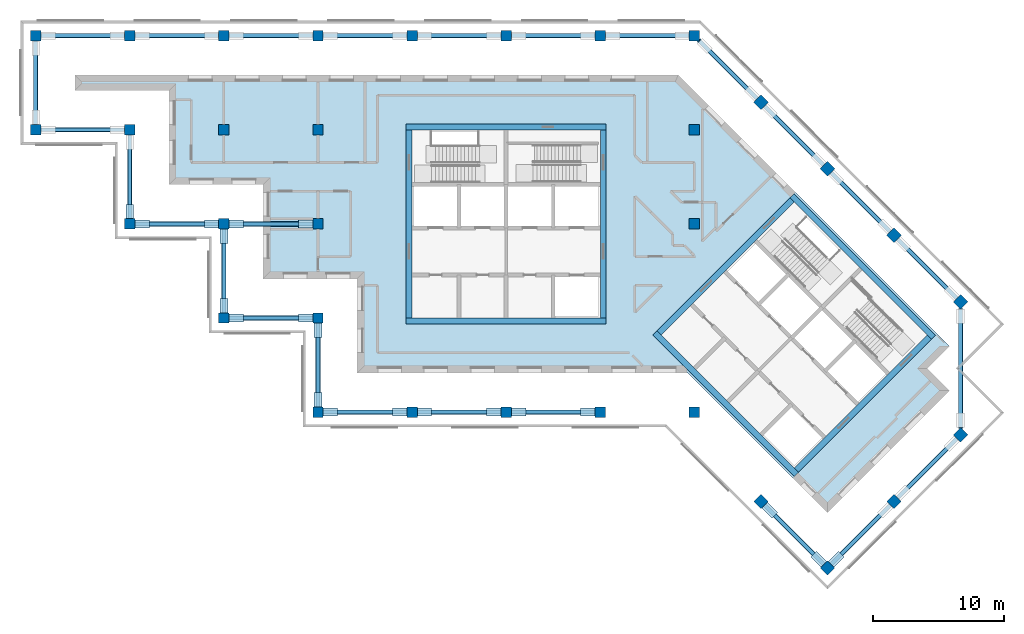
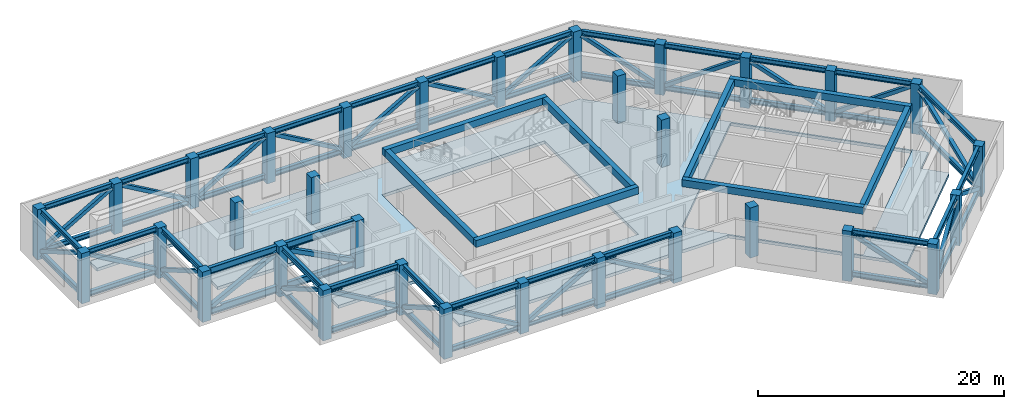
# One storey, part 1 of 9: 78 members, 32 columns, 20 plates, 8 beams, 1 slab, 2 openings.
"""IFC4 building model written with IfcOpenShell, lengths in metres."""

from ifc_helpers import new_model, si_unit, direction, frame, origin, origin_2d, place, context, subcontext, project, spatial, polyline, rectangle, hollow_rectangle, i_section, outline, extrude, material, layer, layer_set, material_profile, profile_set, type_object, element, save


model = new_model("IFC4")

# Units and contexts
model_context = context("Model", 3, precision=1e-05, world=origin(), true_north=direction((0.0, 1.0)))
body_context = subcontext(model_context, "Body", "Model", "MODEL_VIEW")
ifc_project = project(units=[si_unit("LENGTHUNIT", "METRE"), si_unit("AREAUNIT", "SQUARE_METRE"), si_unit("VOLUMEUNIT", "CUBIC_METRE"), si_unit("PLANEANGLEUNIT", "RADIAN"), si_unit("MASSUNIT", "GRAM", prefix="KILO")], contexts=[model_context])

# Site, building, storey
site_placement = place(None, origin())
site = spatial("IfcSite", under=ifc_project, at=site_placement, CompositionType="ELEMENT")
building_placement = place(site_placement, origin())
building = spatial("IfcBuilding", under=site, at=building_placement, Name="Windrow Commons", CompositionType="ELEMENT")
storey_placement = place(building_placement, frame((0.0, 0.0, 234.6)))
storey = spatial("IfcBuildingStorey", under=building, at=storey_placement, Name="L64", CompositionType="ELEMENT", Elevation=234.6)

# Columns
ifc_material_1 = material(Name="Concrete C50/60", Category="concrete")
ifc_material_profile_1 = material_profile(ifc_material_1, rectangle(XDim=0.8, YDim=0.8, at=origin_2d()))
ifc_profile_set_1 = profile_set([ifc_material_profile_1], Name="Concrete C50/60")
column_type = type_object("IfcColumnType", Name="RC COLUMN 800x800 C50/60", PredefinedType="COLUMN", material=ifc_profile_set_1)
for number, where, z_axis, x_axis, name in (
    (1, (28.8, 64.8, -0.3), (0.0, 0.0, 1.0), (1.0, 0.0, 0.0), "C-SG4-05I"),
    (2, (28.8, 72.0, -0.3), (0.0, 0.0, 1.0), (1.0, 0.0, 0.0), "C-SG4-05J"),
    (3, (36.0, 57.6, -0.3), (0.0, 0.0, 1.0), (1.0, 0.0, 0.0), "C-SG4-06H"),
    (4, (36.0, 64.8, -0.3), (0.0, 0.0, 1.0), (1.0, 0.0, 0.0), "C-SG4-06I"),
    (5, (36.0, 72.0, -0.3), (0.0, 0.0, 1.0), (1.0, 0.0, 0.0), "C-SG4-06J"),
    (6, (43.2, 50.4, -0.3), (0.0, 0.0, 1.0), (1.0, 0.0, 0.0), "C-SG4-07G"),
    (7, (43.2, 57.6, -0.3), (0.0, 0.0, 1.0), (1.0, 0.0, 0.0), "C-SG4-07H"),
):
    element("IfcColumn", number, at=place(storey_placement, frame(where, z_axis=z_axis, x_axis=x_axis)), inside=storey, type_object=column_type, Name=name, PredefinedType="COLUMN", context=body_context, shape_type="SweptSolid", body=[
        extrude(rectangle(XDim=0.8, YDim=0.8, at=origin_2d()), origin(), (0.0, 0.0, 1.0), 5.0),
    ])
column_placement = place(storey_placement, frame((43.2, 64.8, 0.0), z_axis=(0.0, 0.0, 1.0), x_axis=(1.0, 0.0, 0.0)))
element("IfcColumn", 8, at=column_placement, inside=storey, type_object=column_type, Name="C-SG4-07I", PredefinedType="COLUMN", context=body_context, shape_type="SweptSolid", body=[
    extrude(rectangle(XDim=0.8, YDim=0.8, at=origin_2d()), origin(), (0.0, 0.0, 1.0), 4.7),
])
for number, where, z_axis, x_axis, name in (
    (9, (43.2, 72.0, -0.3), (0.0, 0.0, 1.0), (1.0, 0.0, 0.0), "C-SG4-07J"),
    (10, (50.4, 43.2, -0.3), (0.0, 0.0, 1.0), (1.0, 0.0, 0.0), "C-SG4-08F"),
    (11, (50.4, 50.4, -0.3), (0.0, 0.0, 1.0), (1.0, 0.0, 0.0), "C-SG4-08G"),
):
    element("IfcColumn", number, at=place(storey_placement, frame(where, z_axis=z_axis, x_axis=x_axis)), inside=storey, type_object=column_type, Name=name, PredefinedType="COLUMN", context=body_context, shape_type="SweptSolid", body=[
        extrude(rectangle(XDim=0.8, YDim=0.8, at=origin_2d()), origin(), (0.0, 0.0, 1.0), 5.0),
    ])
for number, where, z_axis, x_axis, name in (
    (12, (50.4, 57.6, 0.0), (0.0, 0.0, 1.0), (1.0, 0.0, 0.0), "C-SG4-08H"),
    (13, (50.4, 64.8, 0.0), (0.0, 0.0, 1.0), (1.0, 0.0, 0.0), "C-SG4-08I"),
):
    element("IfcColumn", number, at=place(storey_placement, frame(where, z_axis=z_axis, x_axis=x_axis)), inside=storey, type_object=column_type, Name=name, PredefinedType="COLUMN", context=body_context, shape_type="SweptSolid", body=[
        extrude(rectangle(XDim=0.8, YDim=0.8, at=origin_2d()), origin(), (0.0, 0.0, 1.0), 4.7),
    ])
for number, where, z_axis, x_axis, name in (
    (14, (50.4, 72.0, -0.3), (0.0, 0.0, 1.0), (1.0, 0.0, 0.0), "C-SG4-08J"),
    (15, (57.6, 43.2, -0.3), (0.0, 0.0, 1.0), (1.0, 0.0, 0.0), "C-SG4-09F"),
    (16, (57.6, 72.0, -0.3), (0.0, 0.0, 1.0), (1.0, 0.0, 0.0), "C-SG4-09J"),
    (17, (64.8, 43.2, -0.3), (0.0, 0.0, 1.0), (1.0, 0.0, 0.0), "C-SG4-10F"),
    (18, (64.8, 72.0, -0.3), (0.0, 0.0, 1.0), (1.0, 0.0, 0.0), "C-SG4-10J"),
    (19, (72.0, 43.2, -0.3), (0.0, 0.0, 1.0), (1.0, 0.0, 0.0), "C-SG4-11F"),
    (20, (72.0, 72.0, -0.3), (0.0, 0.0, 1.0), (1.0, 0.0, 0.0), "C-SG4-11J"),
    (21, (79.2, 43.2, -0.3), (0.0, 0.0, 1.0), (1.0, 0.0, 0.0), "C-SG4-12F"),
):
    element("IfcColumn", number, at=place(storey_placement, frame(where, z_axis=z_axis, x_axis=x_axis)), inside=storey, type_object=column_type, Name=name, PredefinedType="COLUMN", context=body_context, shape_type="SweptSolid", body=[
        extrude(rectangle(XDim=0.8, YDim=0.8, at=origin_2d()), origin(), (0.0, 0.0, 1.0), 5.0),
    ])
for number, where, z_axis, x_axis, name in (
    (22, (79.2, 57.6, 0.0), (0.0, 0.0, 1.0), (1.0, 0.0, 0.0), "C-SG4-12H"),
    (23, (79.2, 64.8, 0.0), (0.0, 0.0, 1.0), (1.0, 0.0, 0.0), "C-SG4-12I"),
):
    element("IfcColumn", number, at=place(storey_placement, frame(where, z_axis=z_axis, x_axis=x_axis)), inside=storey, type_object=column_type, Name=name, PredefinedType="COLUMN", context=body_context, shape_type="SweptSolid", body=[
        extrude(rectangle(XDim=0.8, YDim=0.8, at=origin_2d()), origin(), (0.0, 0.0, 1.0), 4.7),
    ])
for number, where, z_axis, x_axis, name in (
    (24, (79.2, 72.0, -0.3), (0.0, 0.0, 1.0), (1.0, 0.0, 0.0), "C-SG4-12J"),
    (25, (84.2912, 66.9088, -0.3), (0.0, 0.0, 1.0), (0.7071067812, -0.7071067812, 0.0), "C-SG4-P2Q"),
    (26, (89.3823, 61.8177, -0.3), (0.0, 0.0, 1.0), (0.7071067812, -0.7071067812, 0.0), "C-SG4-P3Q"),
    (27, (94.4735, 56.7265, -0.3), (0.0, 0.0, 1.0), (0.7071067812, -0.7071067812, 0.0), "C-SG4-P4Q"),
    (28, (99.5647, 51.6353, -0.3), (0.0, 0.0, 1.0), (0.7071067812, -0.7071067812, 0.0), "C-SG4-P5Q"),
    (29, (84.2912, 36.3618, -0.3), (0.0, 0.0, 1.0), (0.7071067812, -0.7071067812, 0.0), "C-SG4-P5T"),
    (30, (99.5647, 41.453, -0.3), (0.0, 0.0, 1.0), (0.7071067812, -0.7071067812, 0.0), "C-SG4-P6R"),
    (31, (94.4735, 36.3618, -0.3), (0.0, 0.0, 1.0), (0.7071067812, -0.7071067812, 0.0), "C-SG4-P6S"),
    (32, (89.3823, 31.2706, -0.3), (0.0, 0.0, 1.0), (0.7071067812, -0.7071067812, 0.0), "C-SG4-P6T"),
):
    element("IfcColumn", number, at=place(storey_placement, frame(where, z_axis=z_axis, x_axis=x_axis)), inside=storey, type_object=column_type, Name=name, PredefinedType="COLUMN", context=body_context, shape_type="SweptSolid", body=[
        extrude(rectangle(XDim=0.8, YDim=0.8, at=origin_2d()), origin(), (0.0, 0.0, 1.0), 5.0),
    ])

# Beams
ifc_material_2 = material(Name="Concrete C40/50", Category="concrete")
ifc_material_profile_2 = material_profile(ifc_material_2, rectangle(XDim=0.45, YDim=0.7, at=origin_2d()))
ifc_profile_set_2 = profile_set([ifc_material_profile_2], Name="Concrete C40/50")
beam_type = type_object("IfcBeamType", Name="RC COUPLING BEAM 450x700 C40/50", PredefinedType="LINTEL", material=ifc_profile_set_2)
for number, where, z_axis, x_axis, name in (
    (33, (57.15, 50.175, 4.35), (1.0, 0.0, 0.0), (0.0, 1.0, 0.0), "Core A coupling beam outer-S"),
    (34, (57.15, 65.025, 4.35), (1.0, 0.0, 0.0), (0.0, 1.0, 0.0), "Core A coupling beam outer-N"),
):
    element("IfcBeam", number, at=place(storey_placement, frame(where, z_axis=z_axis, x_axis=x_axis)), inside=storey, type_object=beam_type, Name=name, PredefinedType="LINTEL", context=body_context, shape_type="SweptSolid", body=[
        extrude(rectangle(XDim=0.45, YDim=0.7, at=origin_2d()), origin(), (0.0, 0.0, 1.0), 15.3),
    ])
for number, where, z_axis, x_axis, name in (
    (35, (57.375, 50.4, 4.35), (0.0, 1.0, 0.0), (-1.0, 0.0, 0.0), "Core A coupling beam outer-W"),
    (36, (72.225, 50.4, 4.35), (0.0, 1.0, 0.0), (-1.0, 0.0, 0.0), "Core A coupling beam outer-E"),
):
    element("IfcBeam", number, at=place(storey_placement, frame(where, z_axis=z_axis, x_axis=x_axis)), inside=storey, type_object=beam_type, Name=name, PredefinedType="LINTEL", context=body_context, shape_type="SweptSolid", body=[
        extrude(rectangle(XDim=0.45, YDim=0.7, at=origin_2d()), origin(), (0.0, 0.0, 1.0), 14.4),
    ])
for number, where, z_axis, x_axis, name in (
    (37, (76.1771, 49.2488, 4.35), (0.7071100491, -0.7071035132, 0.0), (0.7071035132, 0.7071100491, 0.0), "Core B coupling beam outer-S"),
    (38, (86.6777, 59.7494, 4.35), (0.7071035132, -0.7071100491, 0.0), (0.7071100491, 0.7071035132, 0.0), "Core B coupling beam outer-N"),
):
    element("IfcBeam", number, at=place(storey_placement, frame(where, z_axis=z_axis, x_axis=x_axis)), inside=storey, type_object=beam_type, Name=name, PredefinedType="LINTEL", context=body_context, shape_type="SweptSolid", body=[
        extrude(rectangle(XDim=0.45, YDim=0.7, at=origin_2d()), origin(), (0.0, 0.0, 1.0), 15.3),
    ])
beam_1_placement = place(storey_placement, frame((76.4953, 49.2488, 4.35), z_axis=(0.7071067812, 0.7071067812, 0.0), x_axis=(-0.7071067812, 0.7071067812, 0.0)))
element("IfcBeam", 39, at=beam_1_placement, inside=storey, type_object=beam_type, Name="Core B coupling beam outer-W", PredefinedType="LINTEL", context=body_context, shape_type="SweptSolid", body=[
    extrude(rectangle(XDim=0.45, YDim=0.7, at=origin_2d()), origin(), (0.0, 0.0, 1.0), 14.4001),
])
beam_2_placement = place(storey_placement, frame((86.9959, 38.7483, 4.35), z_axis=(0.7071067812, 0.7071067812, 0.0), x_axis=(-0.7071067812, 0.7071067812, 0.0)))
element("IfcBeam", 40, at=beam_2_placement, inside=storey, type_object=beam_type, Name="Core B coupling beam outer-E", PredefinedType="LINTEL", context=body_context, shape_type="SweptSolid", body=[
    extrude(rectangle(XDim=0.45, YDim=0.7, at=origin_2d()), origin(), (0.0, 0.0, 1.0), 14.3999),
])

# Members
ifc_material_3 = material(Name="Steel S355", Category="steel")
ifc_material_profile_3 = material_profile(ifc_material_3, i_section(OverallWidth=0.3, OverallDepth=0.5, WebThickness=0.0145, FlangeThickness=0.028, FilletRadius=0.027, at=origin_2d()))
ifc_profile_set_3 = profile_set([ifc_material_profile_3], Name="Steel S355")
member_type_1 = type_object("IfcMemberType", Name="STEEL OUTRIGGER CHORD HE500B S355", PredefinedType="CHORD", material=ifc_profile_set_3)
for number, where, z_axis, x_axis, name in (
    (41, (71.6, 43.2, 0.25), (-1.0, 0.0, 0.0), (0.0, -1.0, 0.0), "belt00 chord 1 bot"),
    (42, (71.6, 43.2, 4.45), (-1.0, 0.0, 0.0), (0.0, -1.0, 0.0), "belt00 chord 1 top"),
    (43, (64.4, 43.2, 0.25), (-1.0, 0.0, 0.0), (0.0, -1.0, 0.0), "belt00 chord 2 bot"),
    (44, (64.4, 43.2, 4.45), (-1.0, 0.0, 0.0), (0.0, -1.0, 0.0), "belt00 chord 2 top"),
    (45, (57.2, 43.2, 0.25), (-1.0, 0.0, 0.0), (0.0, -1.0, 0.0), "belt00 chord 3 bot"),
    (46, (57.2, 43.2, 4.45), (-1.0, 0.0, 0.0), (0.0, -1.0, 0.0), "belt00 chord 3 top"),
    (47, (50.4, 43.6, 0.25), (0.0, 1.0, 0.0), (-1.0, 0.0, 0.0), "belt00 chord 4 bot"),
    (48, (50.4, 43.6, 4.45), (0.0, 1.0, 0.0), (-1.0, 0.0, 0.0), "belt00 chord 4 top"),
    (49, (50.0, 50.4, 0.25), (-1.0, 0.0, 0.0), (0.0, -1.0, 0.0), "belt00 chord 5 bot"),
    (50, (50.0, 50.4, 4.45), (-1.0, 0.0, 0.0), (0.0, -1.0, 0.0), "belt00 chord 5 top"),
    (51, (43.2, 50.8, 0.25), (0.0, 1.0, 0.0), (-1.0, 0.0, 0.0), "belt00 chord 6 bot"),
    (52, (43.2, 50.8, 4.45), (0.0, 1.0, 0.0), (-1.0, 0.0, 0.0), "belt00 chord 6 top"),
    (53, (36.0, 58.0, 0.25), (0.0, 1.0, 0.0), (-1.0, 0.0, 0.0), "belt00 chord 8 bot"),
    (54, (36.0, 58.0, 4.45), (0.0, 1.0, 0.0), (-1.0, 0.0, 0.0), "belt00 chord 8 top"),
    (55, (35.6, 64.8, 0.25), (-1.0, 0.0, 0.0), (0.0, -1.0, 0.0), "belt00 chord 9 bot"),
    (56, (35.6, 64.8, 4.45), (-1.0, 0.0, 0.0), (0.0, -1.0, 0.0), "belt00 chord 9 top"),
    (57, (28.8, 65.2, 0.25), (0.0, 1.0, 0.0), (-1.0, 0.0, 0.0), "belt00 chord 10 bot"),
    (58, (28.8, 65.2, 4.45), (0.0, 1.0, 0.0), (-1.0, 0.0, 0.0), "belt00 chord 10 top"),
    (59, (29.2, 72.0, 0.25), (1.0, 0.0, 0.0), (0.0, 1.0, 0.0), "belt00 chord 11 bot"),
    (60, (29.2, 72.0, 4.45), (1.0, 0.0, 0.0), (0.0, 1.0, 0.0), "belt00 chord 11 top"),
    (61, (36.4, 72.0, 0.25), (1.0, 0.0, 0.0), (0.0, 1.0, 0.0), "belt00 chord 12 bot"),
    (62, (36.4, 72.0, 4.45), (1.0, 0.0, 0.0), (0.0, 1.0, 0.0), "belt00 chord 12 top"),
    (63, (43.6, 72.0, 0.25), (1.0, 0.0, 0.0), (0.0, 1.0, 0.0), "belt00 chord 13 bot"),
    (64, (43.6, 72.0, 4.45), (1.0, 0.0, 0.0), (0.0, 1.0, 0.0), "belt00 chord 13 top"),
    (65, (50.8, 72.0, 0.25), (1.0, 0.0, 0.0), (0.0, 1.0, 0.0), "belt00 chord 14 bot"),
    (66, (50.8, 72.0, 4.45), (1.0, 0.0, 0.0), (0.0, 1.0, 0.0), "belt00 chord 14 top"),
    (67, (58.0, 72.0, 0.25), (1.0, 0.0, 0.0), (0.0, 1.0, 0.0), "belt00 chord 15 bot"),
    (68, (58.0, 72.0, 4.45), (1.0, 0.0, 0.0), (0.0, 1.0, 0.0), "belt00 chord 15 top"),
    (69, (65.2, 72.0, 0.25), (1.0, 0.0, 0.0), (0.0, 1.0, 0.0), "belt00 chord 16 bot"),
    (70, (65.2, 72.0, 4.45), (1.0, 0.0, 0.0), (0.0, 1.0, 0.0), "belt00 chord 16 top"),
    (71, (72.4, 72.0, 0.25), (1.0, 0.0, 0.0), (0.0, 1.0, 0.0), "belt00 chord 17 bot"),
    (72, (72.4, 72.0, 4.45), (1.0, 0.0, 0.0), (0.0, 1.0, 0.0), "belt00 chord 17 top"),
):
    element("IfcMember", number, at=place(storey_placement, frame(where, z_axis=z_axis, x_axis=x_axis)), inside=storey, type_object=member_type_1, Name=name, PredefinedType="CHORD", context=body_context, shape_type="SweptSolid", body=[
        extrude(i_section(OverallWidth=0.3, OverallDepth=0.5, WebThickness=0.0145, FlangeThickness=0.028, FilletRadius=0.027, at=origin_2d()), origin(), (0.0, 0.0, 1.0), 6.4),
    ])
for number, where, z_axis, x_axis, name in (
    (73, (79.6, 71.6, 0.25), (0.7071067812, -0.7071067812, 0.0), (0.7071067812, 0.7071067812, 0.0), "belt00 chord 18 bot"),
    (74, (79.6, 71.6, 4.45), (0.7071067812, -0.7071067812, 0.0), (0.7071067812, 0.7071067812, 0.0), "belt00 chord 18 top"),
):
    element("IfcMember", number, at=place(storey_placement, frame(where, z_axis=z_axis, x_axis=x_axis)), inside=storey, type_object=member_type_1, Name=name, PredefinedType="CHORD", context=body_context, shape_type="SweptSolid", body=[
        extrude(i_section(OverallWidth=0.3, OverallDepth=0.5, WebThickness=0.0145, FlangeThickness=0.028, FilletRadius=0.027, at=origin_2d()), origin(), (0.0, 0.0, 1.0), 6.2344),
    ])
for number, where, z_axis, x_axis, name in (
    (75, (84.574, 66.626, 0.25), (0.7071067812, -0.7071067812, 0.0), (0.7071067812, 0.7071067812, 0.0), "belt00 chord 19 bot"),
    (76, (84.574, 66.626, 4.45), (0.7071067812, -0.7071067812, 0.0), (0.7071067812, 0.7071067812, 0.0), "belt00 chord 19 top"),
):
    element("IfcMember", number, at=place(storey_placement, frame(where, z_axis=z_axis, x_axis=x_axis)), inside=storey, type_object=member_type_1, Name=name, PredefinedType="CHORD", context=body_context, shape_type="SweptSolid", body=[
        extrude(i_section(OverallWidth=0.3, OverallDepth=0.5, WebThickness=0.0145, FlangeThickness=0.028, FilletRadius=0.027, at=origin_2d()), origin(), (0.0, 0.0, 1.0), 6.4),
    ])
for number, where, z_axis, x_axis, name in (
    (77, (89.6651, 61.5349, 0.25), (0.7071067812, -0.7071067812, 0.0), (0.7071067812, 0.7071067812, 0.0), "belt00 chord 20 bot"),
    (78, (89.6651, 61.5349, 4.45), (0.7071067812, -0.7071067812, 0.0), (0.7071067812, 0.7071067812, 0.0), "belt00 chord 20 top"),
    (79, (94.7563, 56.4437, 0.25), (0.7071067812, -0.7071067812, 0.0), (0.7071067812, 0.7071067812, 0.0), "belt00 chord 21 bot"),
    (80, (94.7563, 56.4437, 4.45), (0.7071067812, -0.7071067812, 0.0), (0.7071067812, 0.7071067812, 0.0), "belt00 chord 21 top"),
):
    element("IfcMember", number, at=place(storey_placement, frame(where, z_axis=z_axis, x_axis=x_axis)), inside=storey, type_object=member_type_1, Name=name, PredefinedType="CHORD", context=body_context, shape_type="SweptSolid", body=[
        extrude(i_section(OverallWidth=0.3, OverallDepth=0.5, WebThickness=0.0145, FlangeThickness=0.028, FilletRadius=0.027, at=origin_2d()), origin(), (0.0, 0.0, 1.0), 6.4002),
    ])
for number, where, z_axis, x_axis, name in (
    (81, (99.5647, 51.0696, 0.25), (0.0, -1.0, 0.0), (1.0, 0.0, 0.0), "belt00 chord 22 bot"),
    (82, (99.5647, 51.0696, 4.45), (0.0, -1.0, 0.0), (1.0, 0.0, 0.0), "belt00 chord 22 top"),
):
    element("IfcMember", number, at=place(storey_placement, frame(where, z_axis=z_axis, x_axis=x_axis)), inside=storey, type_object=member_type_1, Name=name, PredefinedType="CHORD", context=body_context, shape_type="SweptSolid", body=[
        extrude(i_section(OverallWidth=0.3, OverallDepth=0.5, WebThickness=0.0145, FlangeThickness=0.028, FilletRadius=0.027, at=origin_2d()), origin(), (0.0, 0.0, 1.0), 9.0509),
    ])
for number, where, z_axis, x_axis, name in (
    (83, (99.2819, 41.1702, 0.25), (-0.7071067812, -0.7071067812, 0.0), (0.7071067812, -0.7071067812, 0.0), "belt00 chord 23 bot"),
    (84, (99.2819, 41.1702, 4.45), (-0.7071067812, -0.7071067812, 0.0), (0.7071067812, -0.7071067812, 0.0), "belt00 chord 23 top"),
    (85, (94.1907, 36.079, 0.25), (-0.7071067812, -0.7071067812, 0.0), (0.7071067812, -0.7071067812, 0.0), "belt00 chord 24 bot"),
    (86, (94.1907, 36.079, 4.45), (-0.7071067812, -0.7071067812, 0.0), (0.7071067812, -0.7071067812, 0.0), "belt00 chord 24 top"),
):
    element("IfcMember", number, at=place(storey_placement, frame(where, z_axis=z_axis, x_axis=x_axis)), inside=storey, type_object=member_type_1, Name=name, PredefinedType="CHORD", context=body_context, shape_type="SweptSolid", body=[
        extrude(i_section(OverallWidth=0.3, OverallDepth=0.5, WebThickness=0.0145, FlangeThickness=0.028, FilletRadius=0.027, at=origin_2d()), origin(), (0.0, 0.0, 1.0), 6.4002),
    ])
for number, where, z_axis, x_axis, name in (
    (87, (89.0995, 31.5534, 0.25), (-0.7070989688, 0.7071145935, 0.0), (-0.7071145935, -0.7070989688, 0.0), "belt00 chord 25 bot"),
    (88, (89.0995, 31.5534, 4.45), (-0.7070989688, 0.7071145935, 0.0), (-0.7071145935, -0.7070989688, 0.0), "belt00 chord 25 top"),
):
    element("IfcMember", number, at=place(storey_placement, frame(where, z_axis=z_axis, x_axis=x_axis)), inside=storey, type_object=member_type_1, Name=name, PredefinedType="CHORD", context=body_context, shape_type="SweptSolid", body=[
        extrude(i_section(OverallWidth=0.3, OverallDepth=0.5, WebThickness=0.0145, FlangeThickness=0.028, FilletRadius=0.027, at=origin_2d()), origin(), (0.0, 0.0, 1.0), 6.4001),
    ])
ifc_material_4 = material(Name="Steel S355", Category="steel")
ifc_material_profile_4 = material_profile(ifc_material_4, i_section(OverallWidth=0.3, OverallDepth=0.7, WebThickness=0.017, FlangeThickness=0.032, FilletRadius=0.027, at=origin_2d()))
ifc_profile_set_4 = profile_set([ifc_material_profile_4], Name="Steel S355")
member_type_2 = type_object("IfcMemberType", Name="STEEL OUTRIGGER CHORD HE700B S355", PredefinedType="CHORD", material=ifc_profile_set_4)
for number, where, z_axis, x_axis, name in (
    (89, (50.0, 57.6, 0.35), (-1.0, 0.0, 0.0), (0.0, -1.0, 0.0), "outA-W chord 1 bot"),
    (90, (50.0, 57.6, 4.35), (-1.0, 0.0, 0.0), (0.0, -1.0, 0.0), "outA-W chord 1 top"),
    (91, (42.8, 57.6, 0.35), (-1.0, 0.0, 0.0), (0.0, -1.0, 0.0), "outA-W chord 2 bot"),
    (92, (42.8, 57.6, 4.35), (-1.0, 0.0, 0.0), (0.0, -1.0, 0.0), "outA-W chord 2 top"),
):
    element("IfcMember", number, at=place(storey_placement, frame(where, z_axis=z_axis, x_axis=x_axis)), inside=storey, type_object=member_type_2, Name=name, PredefinedType="CHORD", context=body_context, shape_type="SweptSolid", body=[
        extrude(i_section(OverallWidth=0.3, OverallDepth=0.7, WebThickness=0.017, FlangeThickness=0.032, FilletRadius=0.027, at=origin_2d()), origin(), (0.0, 0.0, 1.0), 6.4),
    ])
ifc_material_5 = material(Name="Steel S355", Category="steel")
ifc_material_profile_5 = material_profile(ifc_material_5, hollow_rectangle(XDim=0.35, YDim=0.35, WallThickness=0.02, at=origin_2d()))
ifc_profile_set_5 = profile_set([ifc_material_profile_5], Name="Steel S355")
member_type_3 = type_object("IfcMemberType", Name="STEEL OUTRIGGER DIAGONAL RHS350x350x20 S355", PredefinedType="BRACE", material=ifc_profile_set_5)
for number, where, z_axis, x_axis, name in (
    (93, (71.6, 43.2, 0.5), (-0.8657348311, 0.0, 0.5005029492), (0.0, -1.0, 0.0), "belt00 diagonal 1"),
    (94, (64.4, 43.2, 4.2), (-0.8657348311, 0.0, -0.5005029492), (0.0, -1.0, 0.0), "belt00 diagonal 2"),
    (95, (57.2, 43.2, 0.5), (-0.8657348311, 0.0, 0.5005029492), (0.0, -1.0, 0.0), "belt00 diagonal 3"),
    (96, (50.4, 43.6, 4.2), (0.0, 0.8657348311, -0.5005029492), (-1.0, 0.0, 0.0), "belt00 diagonal 4"),
    (97, (50.0, 50.4, 0.5), (-0.8657348311, 0.0, 0.5005029492), (0.0, -1.0, 0.0), "belt00 diagonal 5"),
    (98, (43.2, 50.8, 4.2), (0.0, 0.8657348311, -0.5005029492), (-1.0, 0.0, 0.0), "belt00 diagonal 6"),
    (99, (36.0, 58.0, 4.2), (0.0, 0.8657348311, -0.5005029492), (-1.0, 0.0, 0.0), "belt00 diagonal 8"),
    (100, (35.6, 64.8, 0.5), (-0.8657348311, 0.0, 0.5005029492), (0.0, -1.0, 0.0), "belt00 diagonal 9"),
    (101, (28.8, 65.2, 4.2), (0.0, 0.8657348311, -0.5005029492), (-1.0, 0.0, 0.0), "belt00 diagonal 10"),
    (102, (29.2, 72.0, 0.5), (0.8657348311, 0.0, 0.5005029492), (0.0, 1.0, 0.0), "belt00 diagonal 11"),
    (103, (36.4, 72.0, 4.2), (0.8657348311, 0.0, -0.5005029492), (0.0, 1.0, 0.0), "belt00 diagonal 12"),
    (104, (43.6, 72.0, 0.5), (0.8657348311, 0.0, 0.5005029492), (0.0, 1.0, 0.0), "belt00 diagonal 13"),
    (105, (50.8, 72.0, 4.2), (0.8657348311, 0.0, -0.5005029492), (0.0, 1.0, 0.0), "belt00 diagonal 14"),
    (106, (58.0, 72.0, 0.5), (0.8657348311, 0.0, 0.5005029492), (0.0, 1.0, 0.0), "belt00 diagonal 15"),
    (107, (65.2, 72.0, 4.2), (0.8657348311, 0.0, -0.5005029492), (0.0, 1.0, 0.0), "belt00 diagonal 16"),
    (108, (72.4, 72.0, 0.5), (0.8657348311, 0.0, 0.5005029492), (0.0, 1.0, 0.0), "belt00 diagonal 17"),
):
    element("IfcMember", number, at=place(storey_placement, frame(where, z_axis=z_axis, x_axis=x_axis)), inside=storey, type_object=member_type_3, Name=name, PredefinedType="BRACE", context=body_context, shape_type="SweptSolid", body=[
        extrude(hollow_rectangle(XDim=0.35, YDim=0.35, WallThickness=0.02, at=origin_2d()), origin(), (0.0, 0.0, 1.0), 7.3926),
    ])
member_1_placement = place(storey_placement, frame((79.6, 71.6, 4.2), z_axis=(0.6080813118, -0.6080813118, -0.5103667666), x_axis=(0.7071067812, 0.7071067812, 0.0)))
element("IfcMember", 109, at=member_1_placement, inside=storey, type_object=member_type_3, Name="belt00 diagonal 18", PredefinedType="BRACE", context=body_context, shape_type="SweptSolid", body=[
    extrude(hollow_rectangle(XDim=0.35, YDim=0.35, WallThickness=0.02, at=origin_2d()), origin(), (0.0, 0.0, 1.0), 7.2497),
])
member_2_placement = place(storey_placement, frame((84.574, 66.626, 0.5), z_axis=(0.6121675323, -0.6121675323, 0.5005015732), x_axis=(0.7071067812, 0.7071067812, 0.0)))
element("IfcMember", 110, at=member_2_placement, inside=storey, type_object=member_type_3, Name="belt00 diagonal 19", PredefinedType="BRACE", context=body_context, shape_type="SweptSolid", body=[
    extrude(hollow_rectangle(XDim=0.35, YDim=0.35, WallThickness=0.02, at=origin_2d()), origin(), (0.0, 0.0, 1.0), 7.3926),
])
for number, where, z_axis, x_axis, name in (
    (111, (89.6651, 61.5349, 4.2), (0.6121709208, -0.6121709208, -0.5004932842), (0.7071067812, 0.7071067812, 0.0), "belt00 diagonal 20"),
    (112, (94.7563, 56.4437, 0.5), (0.6121709208, -0.6121709208, 0.5004932842), (0.7071067812, 0.7071067812, 0.0), "belt00 diagonal 21"),
):
    element("IfcMember", number, at=place(storey_placement, frame(where, z_axis=z_axis, x_axis=x_axis)), inside=storey, type_object=member_type_3, Name=name, PredefinedType="BRACE", context=body_context, shape_type="SweptSolid", body=[
        extrude(hollow_rectangle(XDim=0.35, YDim=0.35, WallThickness=0.02, at=origin_2d()), origin(), (0.0, 0.0, 1.0), 7.3927),
    ])
member_3_placement = place(storey_placement, frame((99.5647, 51.0696, 4.2), z_axis=(0.0, -0.9256415774, -0.3784014669), x_axis=(1.0, 0.0, 0.0)))
element("IfcMember", 113, at=member_3_placement, inside=storey, type_object=member_type_3, Name="belt00 diagonal 22", PredefinedType="BRACE", context=body_context, shape_type="SweptSolid", body=[
    extrude(hollow_rectangle(XDim=0.35, YDim=0.35, WallThickness=0.02, at=origin_2d()), origin(), (0.0, 0.0, 1.0), 9.778),
])
for number, where, z_axis, x_axis, name in (
    (114, (99.2819, 41.1702, 0.5), (-0.6121709208, -0.6121709208, 0.5004932842), (0.7071067812, -0.7071067812, 0.0), "belt00 diagonal 23"),
    (115, (94.1907, 36.079, 4.2), (-0.6121709208, -0.6121709208, -0.5004932842), (0.7071067812, -0.7071067812, 0.0), "belt00 diagonal 24"),
):
    element("IfcMember", number, at=place(storey_placement, frame(where, z_axis=z_axis, x_axis=x_axis)), inside=storey, type_object=member_type_3, Name=name, PredefinedType="BRACE", context=body_context, shape_type="SweptSolid", body=[
        extrude(hollow_rectangle(XDim=0.35, YDim=0.35, WallThickness=0.02, at=origin_2d()), origin(), (0.0, 0.0, 1.0), 7.3927),
    ])
member_4_placement = place(storey_placement, frame((89.0995, 31.5534, 0.5), z_axis=(-0.6121624631, 0.61217599, 0.5004974286), x_axis=(-0.7071145935, -0.7070989688, 0.0)))
element("IfcMember", 116, at=member_4_placement, inside=storey, type_object=member_type_3, Name="belt00 diagonal 25", PredefinedType="BRACE", context=body_context, shape_type="SweptSolid", body=[
    extrude(hollow_rectangle(XDim=0.35, YDim=0.35, WallThickness=0.02, at=origin_2d()), origin(), (0.0, 0.0, 1.0), 7.3926),
])
ifc_material_6 = material(Name="Steel S355", Category="steel")
ifc_material_profile_6 = material_profile(ifc_material_6, hollow_rectangle(XDim=0.4, YDim=0.4, WallThickness=0.02, at=origin_2d()))
ifc_profile_set_6 = profile_set([ifc_material_profile_6], Name="Steel S355")
member_type_4 = type_object("IfcMemberType", Name="STEEL OUTRIGGER DIAGONAL RHS400x400x20 S355", PredefinedType="BRACE", material=ifc_profile_set_6)
for number, where, z_axis, x_axis, name in (
    (117, (50.0, 57.6, 0.7), (-0.8888031674, 0.0, 0.4582891332), (0.0, -1.0, 0.0), "outA-W diagonal 1"),
    (118, (42.8, 57.6, 4.0), (-0.8888031674, 0.0, -0.4582891332), (0.0, -1.0, 0.0), "outA-W diagonal 2"),
):
    element("IfcMember", number, at=place(storey_placement, frame(where, z_axis=z_axis, x_axis=x_axis)), inside=storey, type_object=member_type_4, Name=name, PredefinedType="BRACE", context=body_context, shape_type="SweptSolid", body=[
        extrude(hollow_rectangle(XDim=0.4, YDim=0.4, WallThickness=0.02, at=origin_2d()), origin(), (0.0, 0.0, 1.0), 7.2007),
    ])

# Slab, openings
ifc_material_7 = material(Name="Concrete C40/50", Category="concrete")
ifc_layer_1 = layer(ifc_material_7, 0.3)
ifc_layer_set_1 = layer_set([ifc_layer_1], Name="FLOOR SLAB 300 C40/50")
slab_type = type_object("IfcSlabType", Name="FLOOR SLAB 300 C40/50", PredefinedType="FLOOR", material=ifc_layer_set_1)
slab_placement = place(storey_placement, frame((0.0, 0.0, -0.3)))
slab = element("IfcSlab", 119, at=slab_placement, inside=storey, type_object=slab_type, Name="S-L64-floor", PredefinedType="FLOOR", context=body_context, shape_type="SweptSolid", body=[
    extrude(outline(polyline([(89.3823, 35.5133), (98.7161, 44.8471), (97.0191, 46.5442), (98.7161, 48.2412), (77.9574, 69.0), (31.8, 69.0), (31.8, 67.8), (39.0, 67.8), (39.0, 60.6), (46.2, 60.6), (46.2, 53.4), (53.4, 53.4), (53.4, 46.2), (78.6956, 46.2), (89.3823, 35.5133)]), holes=[polyline([(76.018, 49.0897), (86.8368, 59.9085), (97.6555, 49.0897), (86.8368, 38.271), (76.018, 49.0897)]), polyline([(57.15, 49.95), (57.15, 65.25), (72.45, 65.25), (72.45, 49.95), (57.15, 49.95)])]), origin(), (0.0, 0.0, 1.0), 0.3),
])
opening_1_placement = place(slab_placement, origin())
element("IfcOpeningElement", 120, at=opening_1_placement, cuts=slab, Name="Slab opening S-L64-floor 1", PredefinedType="OPENING", context=body_context, shape_type="SweptSolid", body=[
    extrude(outline(polyline([(76.0251, 49.0897), (86.8368, 59.9014), (97.6484, 49.0897), (86.8368, 38.2781), (76.0251, 49.0897)])), origin(), (0.0, 0.0, 1.0), 0.3),
])
opening_2_placement = place(slab_placement, origin())
element("IfcOpeningElement", 121, at=opening_2_placement, cuts=slab, Name="Slab opening S-L64-floor 2", PredefinedType="OPENING", context=body_context, shape_type="SweptSolid", body=[
    extrude(outline(polyline([(57.155, 49.955), (57.155, 65.245), (72.445, 65.245), (72.445, 49.955), (57.155, 49.955)])), origin(), (0.0, 0.0, 1.0), 0.3),
])

# Plates
ifc_material_8 = material(Name="Steel S355", Category="steel")
ifc_layer_2 = layer(ifc_material_8, 0.03)
ifc_layer_set_2 = layer_set([ifc_layer_2], Name="GUSSET PLATE 30 S355")
plate_type = type_object("IfcPlateType", Name="GUSSET PLATE 30 S355", PredefinedType="USERDEFINED", material=ifc_layer_set_2)
for number, where, z_axis, x_axis, name in (
    (122, (71.05, 43.2, 0.5), (0.0, 0.0, 1.0), (-1.0, 0.0, 0.0), "Gusset plate L64 belt00 1"),
    (123, (65.75, 43.2, 4.17), (0.0, 0.0, 1.0), (-1.0, 0.0, 0.0), "Gusset plate L64 belt00 2"),
    (124, (63.85, 43.2, 4.17), (0.0, 0.0, 1.0), (-1.0, 0.0, 0.0), "Gusset plate L64 belt00 3"),
    (125, (58.55, 43.2, 0.5), (0.0, 0.0, 1.0), (-1.0, 0.0, 0.0), "Gusset plate L64 belt00 4"),
    (126, (56.65, 43.2, 0.5), (0.0, 0.0, 1.0), (-1.0, 0.0, 0.0), "Gusset plate L64 belt00 5"),
    (127, (51.35, 43.2, 4.17), (0.0, 0.0, 1.0), (-1.0, 0.0, 0.0), "Gusset plate L64 belt00 6"),
    (128, (50.4, 44.15, 4.17), (0.0, 0.0, 1.0), (0.0, 1.0, 0.0), "Gusset plate L64 belt00 7"),
    (129, (50.4, 49.45, 0.5), (0.0, 0.0, 1.0), (0.0, 1.0, 0.0), "Gusset plate L64 belt00 8"),
    (130, (49.45, 50.4, 0.5), (0.0, 0.0, 1.0), (-1.0, 0.0, 0.0), "Gusset plate L64 belt00 9"),
    (131, (44.15, 50.4, 4.17), (0.0, 0.0, 1.0), (-1.0, 0.0, 0.0), "Gusset plate L64 belt00 10"),
    (132, (43.2, 51.35, 4.17), (0.0, 0.0, 1.0), (0.0, 1.0, 0.0), "Gusset plate L64 belt00 11"),
    (133, (43.2, 56.65, 0.5), (0.0, 0.0, 1.0), (0.0, 1.0, 0.0), "Gusset plate L64 belt00 12"),
    (134, (36.0, 58.55, 4.17), (0.0, 0.0, 1.0), (0.0, 1.0, 0.0), "Gusset plate L64 belt00 13"),
    (135, (90.0541, 31.9424, 0.5), (0.0, 0.0, 1.0), (-0.7071067812, -0.7071067812, 0.0), "Gusset plate L64 belt00 46"),
    (136, (88.7106, 31.9424, 0.5), (0.0, 0.0, 1.0), (-0.7070993763, 0.707114186, 0.0), "Gusset plate L64 belt00 47"),
    (137, (84.9629, 35.69, 4.17), (0.0, 0.0, 1.0), (-0.7070993763, 0.707114186, 0.0), "Gusset plate L64 belt00 48"),
    (138, (49.45, 57.6, 0.7), (0.0, 0.0, 1.0), (-1.0, 0.0, 0.0), "Gusset plate L64 outA-W 1"),
    (139, (44.15, 57.6, 3.97), (0.0, 0.0, 1.0), (-1.0, 0.0, 0.0), "Gusset plate L64 outA-W 2"),
    (140, (42.25, 57.6, 3.97), (0.0, 0.0, 1.0), (-1.0, 0.0, 0.0), "Gusset plate L64 outA-W 3"),
    (141, (36.95, 57.6, 0.7), (0.0, 0.0, 1.0), (-1.0, 0.0, 0.0), "Gusset plate L64 outA-W 4"),
):
    element("IfcPlate", number, at=place(storey_placement, frame(where, z_axis=z_axis, x_axis=x_axis)), inside=storey, type_object=plate_type, Name=name, ObjectType="GUSSET PLATE", PredefinedType="USERDEFINED", context=body_context, shape_type="SweptSolid", body=[
        extrude(rectangle(XDim=1.1, YDim=0.6, at=origin_2d()), origin(), (0.0, 0.0, 1.0), 0.03),
    ])

save(model, "model.ifc")
